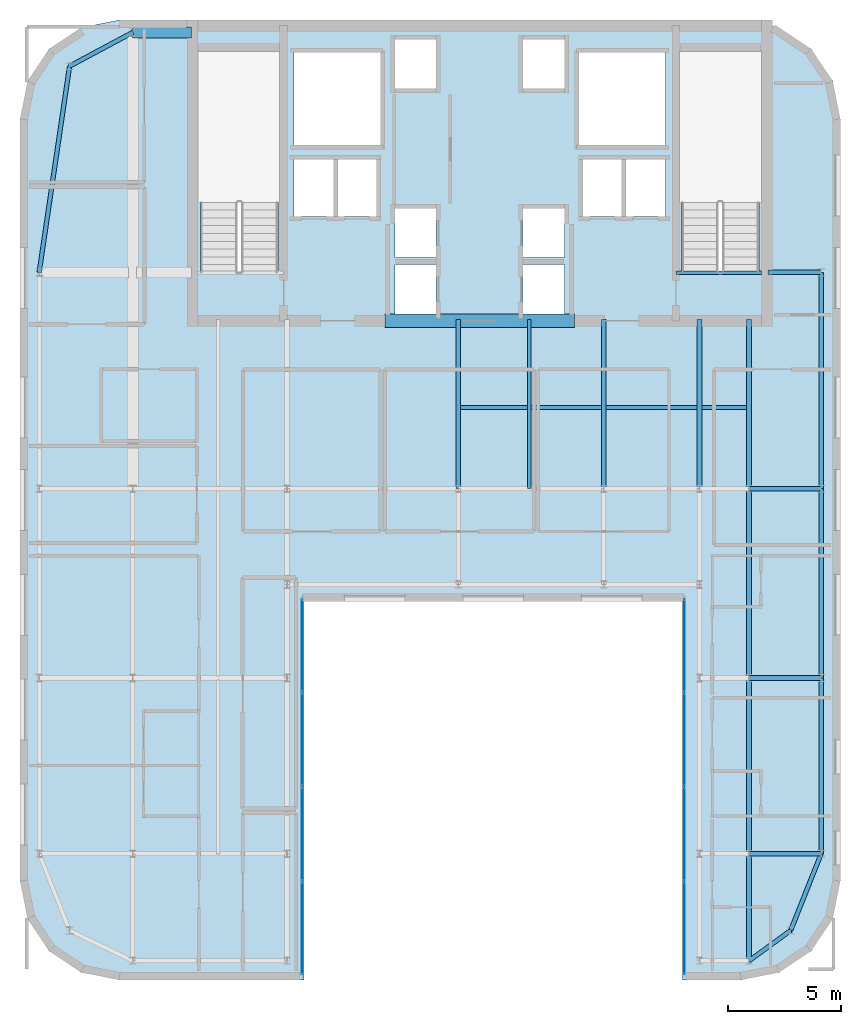
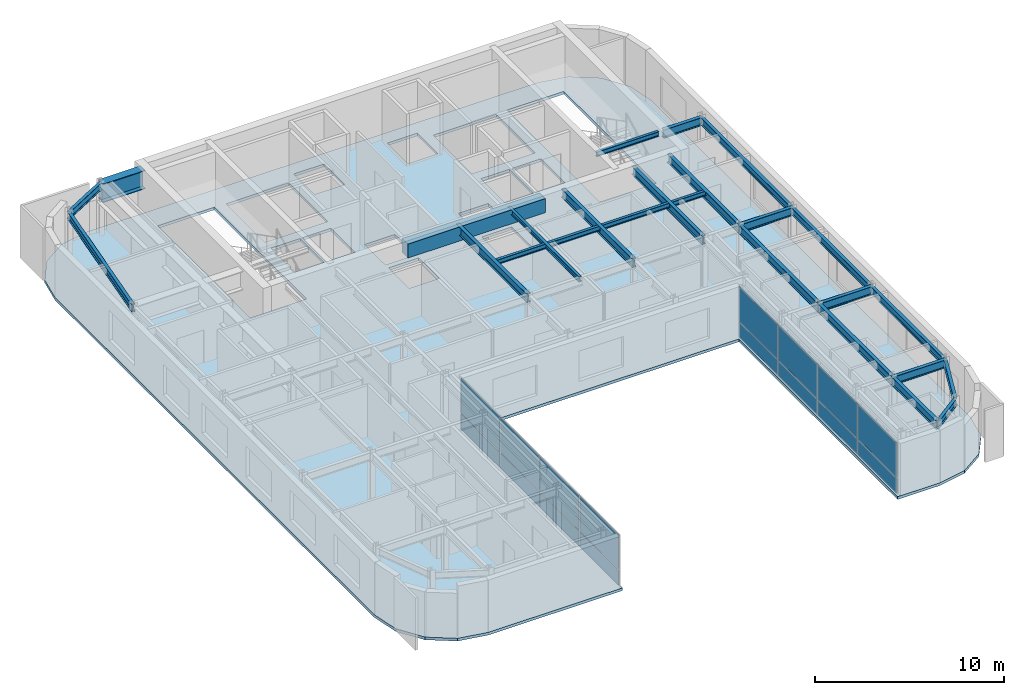
# One storey, part 12 of 18: 23 beams, 16 plates, 1 slab, 2 elements without a shape of their own.
"""IFC4 building model written with IfcOpenShell, lengths in metres."""

import ifcopenshell
import ifcopenshell.guid

model = None  # the IFC model being written
_history = None  # IfcOwnerHistory: only IFC2X3 demands one
_inside = {}  # id of a spatial element -> (the spatial element, [elements in it])
_under = {}  # id of a project, library or spatial element -> (it, [spatial elements below it])
_declared = {}  # id of a project -> (the project, [libraries it declares])
_typed = {}  # id of a type object -> (the type object, [elements of that type])
_made_of = {}  # id of a material, layer set ... -> (it, [elements and type objects made of it])


def new_model(schema):
    """Start an empty IFC model of exactly this schema.

    Asked for "IFC4X3", IfcOpenShell would pick the latest addendum, in which some entities
    have other attributes; the version numbers below select the first issue.
    IFC2X3 requires an IfcOwnerHistory on every rooted entity: one is made here for all.
    """
    global model, _history
    if schema == "IFC4X3":
        model = ifcopenshell.file(schema_version=(4, 3, 0, 0))
    else:
        model = ifcopenshell.file(schema=schema)
    _inside.clear()
    _under.clear()
    _declared.clear()
    _typed.clear()
    _made_of.clear()
    _history = None
    if model.schema == "IFC2X3":
        org = make("IfcOrganization", Name="unknown")
        user = make(
            "IfcPersonAndOrganization",
            ThePerson=make("IfcPerson", FamilyName="unknown"),
            TheOrganization=org,
        )
        app = make(
            "IfcApplication",
            ApplicationDeveloper=org,
            Version="unknown",
            ApplicationFullName="unknown",
            ApplicationIdentifier="unknown",
        )
        _history = make(
            "IfcOwnerHistory",
            OwningUser=user,
            OwningApplication=app,
            ChangeAction="ADDED",
            CreationDate=0,
        )
    return model


def make(cls, **values):
    """One entity of the class cls with the attributes given. An attribute that is None is left unset."""
    return model.create_entity(
        cls, **{name: value for name, value in values.items() if value is not None}
    )


def rooted(cls, **values):
    """An entity with a GlobalId (a new one), such as an element, a storey or a relation."""
    return make(cls, GlobalId=ifcopenshell.guid.new(), OwnerHistory=_history, **values)


def si_unit(unit_type, name, prefix=None):
    """IfcSIUnit, for example si_unit("LENGTHUNIT", "METRE", prefix="MILLI")."""
    return make("IfcSIUnit", UnitType=unit_type, Prefix=prefix, Name=name)


def assignment(units):
    """IfcUnitAssignment: the units of a project."""
    return None if units is None else make("IfcUnitAssignment", Units=units)


def point(xyz):
    """IfcCartesianPoint."""
    return None if xyz is None else make("IfcCartesianPoint", Coordinates=xyz)


def direction(xyz):
    """IfcDirection."""
    return None if xyz is None else make("IfcDirection", DirectionRatios=xyz)


def frame(location, z_axis=None, x_axis=None):
    """IfcAxis2Placement3D, a coordinate frame: its origin and axes. An axis left out is left unset."""
    return make(
        "IfcAxis2Placement3D",
        Location=point(location),
        Axis=direction(z_axis),
        RefDirection=direction(x_axis),
    )


def frame_2d(location, x_axis=None):
    """IfcAxis2Placement2D, a coordinate frame in the plane: its origin and x axis."""
    return make(
        "IfcAxis2Placement2D", Location=point(location), RefDirection=direction(x_axis)
    )


def origin():
    """The frame at (0, 0, 0) with its axes left unset."""
    return frame((0.0, 0.0, 0.0))


def origin_2d():
    """The frame at (0, 0) in the plane with its x axis left unset."""
    return frame_2d((0.0, 0.0))


def place(relative_to, where):
    """IfcLocalPlacement: puts the frame where relative to a parent placement (None: the world)."""
    return make(
        "IfcLocalPlacement", PlacementRelTo=relative_to, RelativePlacement=where
    )


def context(
    kind, dimensions, precision=None, world=None, true_north=None, identifier=None
):
    """IfcGeometricRepresentationContext, for example the 3D "Model" context."""
    return make(
        "IfcGeometricRepresentationContext",
        ContextIdentifier=identifier,
        ContextType=kind,
        CoordinateSpaceDimension=dimensions,
        Precision=precision,
        WorldCoordinateSystem=world,
        TrueNorth=true_north,
    )


def subcontext(parent, identifier, kind, view, scale=None):
    """IfcGeometricRepresentationSubContext, for example "Body" below "Model"."""
    return make(
        "IfcGeometricRepresentationSubContext",
        ContextIdentifier=identifier,
        ContextType=kind,
        ParentContext=parent,
        TargetScale=scale,
        TargetView=view,
    )


def project(units=None, contexts=None):
    """IfcProject with its units and contexts."""
    return rooted(
        "IfcProject",
        Name="project",
        RepresentationContexts=contexts,
        UnitsInContext=assignment(units),
    )


def spatial(cls, under=None, at=None, **own):
    """A site, building, storey or space (cls), placed at a placement, below another one or the project."""
    s = rooted(cls, ObjectPlacement=at, **own)
    if under is not None:
        _under.setdefault(under.id(), (under, []))[1].append(s)
    return s


def polyline(points):
    """IfcPolyline through the points."""
    return make("IfcPolyline", Points=[point(p) for p in points])


def profile(cls, at=None, kind="AREA", **sizes):
    """A parametric profile (cls). Its sizes go by their IFC names, for example OverallWidth=200.0."""
    return make(cls, ProfileType=kind, Position=at, **sizes)


def rectangle(**sizes):
    """IfcRectangleProfileDef."""
    return profile("IfcRectangleProfileDef", **sizes)


def i_section(**sizes):
    """IfcIShapeProfileDef."""
    return profile("IfcIShapeProfileDef", **sizes)


def outline(outer, holes=None, kind="AREA"):
    """IfcArbitraryClosedProfileDef: a profile drawn as a closed curve; with holes, ...WithVoids."""
    if holes is None:
        return make("IfcArbitraryClosedProfileDef", ProfileType=kind, OuterCurve=outer)
    return make(
        "IfcArbitraryProfileDefWithVoids",
        ProfileType=kind,
        OuterCurve=outer,
        InnerCurves=holes,
    )


def extrude(swept, where, along, depth):
    """IfcExtrudedAreaSolid: the profile swept, set in the frame where, extruded along a direction by depth."""
    return make(
        "IfcExtrudedAreaSolid",
        SweptArea=swept,
        Position=where,
        ExtrudedDirection=direction(along),
        Depth=depth,
    )


def shape(context_of_items, identifier, shape_type, items):
    """IfcShapeRepresentation: the items that make up one representation, for example the "Body"."""
    return make(
        "IfcShapeRepresentation",
        ContextOfItems=context_of_items,
        RepresentationIdentifier=identifier,
        RepresentationType=shape_type,
        Items=items,
    )


def source(mapping_origin, context_of_items, identifier, shape_type, items):
    """IfcRepresentationMap: a shape defined once, which mapped items show again and again."""
    return make(
        "IfcRepresentationMap",
        MappingOrigin=mapping_origin,
        MappedRepresentation=shape(context_of_items, identifier, shape_type, items),
    )


def transform(
    local_origin,
    x_axis=None,
    y_axis=None,
    z_axis=None,
    scale=None,
    scale2=None,
    scale3=None,
    uniform=True,
):
    """IfcCartesianTransformationOperator3D, or its non-uniform kind. x_axis, y_axis, z_axis: its Axis1, 2, 3."""
    if uniform:
        return make(
            "IfcCartesianTransformationOperator3D",
            Axis1=direction(x_axis),
            Axis2=direction(y_axis),
            LocalOrigin=point(local_origin),
            Scale=scale,
            Axis3=direction(z_axis),
        )
    return make(
        "IfcCartesianTransformationOperator3DnonUniform",
        Axis1=direction(x_axis),
        Axis2=direction(y_axis),
        LocalOrigin=point(local_origin),
        Scale=scale,
        Axis3=direction(z_axis),
        Scale2=scale2,
        Scale3=scale3,
    )


def mapped(mapping_source, mapping_target):
    """IfcMappedItem: shows the shape of a source again, moved by a transform."""
    return make(
        "IfcMappedItem", MappingSource=mapping_source, MappingTarget=mapping_target
    )


def material(Name=None, Category=None):
    """IfcMaterial."""
    return make("IfcMaterial", Name=Name, Category=Category)


def layer(
    of_material, thickness, ventilated=None, Name=None, Category=None, Priority=None
):
    """IfcMaterialLayer: one layer of a wall or slab, of a material (None: an air gap)."""
    return make(
        "IfcMaterialLayer",
        Material=of_material,
        LayerThickness=thickness,
        IsVentilated=ventilated,
        Name=Name,
        Category=Category,
        Priority=Priority,
    )


def layer_set(layers, Name=None):
    """IfcMaterialLayerSet."""
    return make("IfcMaterialLayerSet", MaterialLayers=layers, LayerSetName=Name)


def material_profile(
    of_material, cross_section, Name=None, Category=None, Priority=None
):
    """IfcMaterialProfile: a cross section and its material."""
    return make(
        "IfcMaterialProfile",
        Name=Name,
        Material=of_material,
        Profile=cross_section,
        Priority=Priority,
        Category=Category,
    )


def profile_set(profiles, Name=None, composite=None):
    """IfcMaterialProfileSet."""
    return make(
        "IfcMaterialProfileSet",
        Name=Name,
        MaterialProfiles=profiles,
        CompositeProfile=composite,
    )


def made_of(thing, what):
    """Note that an element or type object is made of a material, layer set ...; save() writes the relation."""
    if what is not None:
        _made_of.setdefault(what.id(), (what, []))[1].append(thing)
    return thing


def type_object(cls, material=None, **own):
    """A type object (cls), such as IfcWallType, which elements share."""
    return made_of(rooted(cls, **own), material)


def type_shapes(of_type, sources):
    """Give a type object the sources (RepresentationMaps) that its elements show as mapped items."""
    of_type.RepresentationMaps = sources


def element(
    cls,
    number,
    at=None,
    inside=None,
    cuts=None,
    type_object=None,
    material=None,
    context=None,
    identifier="Body",
    shape_type=None,
    held_by="IfcProductDefinitionShape",
    body=None,
    shapes=None,
    **own,
):
    """One element of the class cls, such as IfcWall. Its Tag is "e" and its number.

    at: its placement. inside: the storey or other place that contains it. cuts: it is an
    opening in that element (IfcRelVoidsElement). A single representation is given by context,
    identifier, shape_type and body (its items); several are given by shapes. held_by: the class
    of the entity that holds the representations. save() writes the other relations.
    """
    e = rooted(cls, Tag="e%d" % number, ObjectPlacement=at, **own)
    if body is not None:
        shapes = [shape(context, identifier, shape_type, body)]
    if shapes is not None:
        e.Representation = make(held_by, Representations=shapes)
    if inside is not None:
        _inside.setdefault(inside.id(), (inside, []))[1].append(e)
    if cuts is not None:
        rooted(
            "IfcRelVoidsElement", RelatingBuildingElement=cuts, RelatedOpeningElement=e
        )
    if type_object is not None:
        _typed.setdefault(type_object.id(), (type_object, []))[1].append(e)
    return made_of(e, material)


def aggregate(whole, parts):
    """IfcRelAggregates: a whole, such as a stair, and the parts it consists of."""
    return rooted("IfcRelAggregates", RelatingObject=whole, RelatedObjects=parts)


def save(model, path):
    """Write the relations noted so far, then the file.

    IfcRelAggregates (storeys below a building ...), IfcRelContainedInSpatialStructure (elements
    in a storey), IfcRelDefinesByType, IfcRelAssociatesMaterial and IfcRelDeclares: one each for
    every whole, place, type object, material and project.
    """
    for whole, parts in _under.values():
        aggregate(whole, parts)
    for where, things in _inside.values():
        rooted(
            "IfcRelContainedInSpatialStructure",
            RelatedElements=things,
            RelatingStructure=where,
        )
    for kind, things in _typed.values():
        rooted("IfcRelDefinesByType", RelatedObjects=things, RelatingType=kind)
    for what, things in _made_of.values():
        rooted("IfcRelAssociatesMaterial", RelatedObjects=things, RelatingMaterial=what)
    for by, libraries in _declared.values():
        rooted("IfcRelDeclares", RelatingContext=by, RelatedDefinitions=libraries)
    model.write(path)


model = new_model("IFC4")

# Units and contexts
model_context = context("Model", 3, precision=1e-05, world=origin(), true_north=direction((0.0, 1.0)))
body_context = subcontext(model_context, "Body", "Model", "MODEL_VIEW")
ifc_project = project(units=[si_unit("LENGTHUNIT", "METRE"), si_unit("AREAUNIT", "SQUARE_METRE"), si_unit("VOLUMEUNIT", "CUBIC_METRE"), si_unit("PLANEANGLEUNIT", "RADIAN"), si_unit("MASSUNIT", "GRAM", prefix="KILO")], contexts=[model_context])

# Site, building, storey
site_placement = place(None, origin())
site = spatial("IfcSite", under=ifc_project, at=site_placement, CompositionType="ELEMENT")
building_placement = place(site_placement, origin())
building = spatial("IfcBuilding", under=site, at=building_placement, Name="Tolvann Quenvar Hotel", CompositionType="ELEMENT")
storey_placement = place(building_placement, frame((0.0, 0.0, 252.300048828125)))
storey = spatial("IfcBuildingStorey", under=building, at=storey_placement, Name="L67", CompositionType="ELEMENT", Elevation=252.300048828125)

# Beams
ifc_material_1 = material(Name="Concrete N50 (50 MPa)", Category="concrete")
ifc_material_profile_1 = material_profile(ifc_material_1, rectangle(XDim=0.60009765625, YDim=0.89990234375, at=origin_2d()), Name="RC600x900")
ifc_profile_set_1 = profile_set([ifc_material_profile_1], Name="Concrete N50 (50 MPa)")
beam_type_1 = type_object("IfcBeamType", Name="BM_LINT_RC600x900", PredefinedType="LINTEL", material=ifc_profile_set_1)
shared_shape_1 = source(origin(), body_context, "Body", "SweptSolid", [
    extrude(rectangle(XDim=0.60009765625, YDim=0.89990234375, at=origin_2d()), origin(), (0.0, 0.0, 1.0), 8.39990234375),
])
type_shapes(beam_type_1, [shared_shape_1])
beam_1_placement = place(storey_placement, frame((18.800048828125, 31.85009765625, 2.919921875), z_axis=(1.0, 0.0, 0.0), x_axis=(0.0, 1.0, 0.0)))
element("IfcBeam", 1, at=beam_1_placement, inside=storey, type_object=beam_type_1, Name="Core Coupling Lintel Beam (L67)", PredefinedType="LINTEL", context=body_context, shape_type="MappedRepresentation", body=[
    mapped(shared_shape_1, transform((0.0, 0.0, 0.0), x_axis=(1.0, 0.0, 0.0), y_axis=(0.0, 1.0, 0.0), z_axis=(0.0, 0.0, 1.0), scale=1.0)),
])
ifc_material_2 = material(Name="Steel Grade 350", Category="steel")
ifc_material_profile_2 = material_profile(ifc_material_2, i_section(OverallWidth=0.208984375, OverallDepth=0.532958984375, WebThickness=0.01025390625, FlangeThickness=0.015625, FilletRadius=0.013916015625, at=origin_2d()), Name="530UB92")
ifc_profile_set_2 = profile_set([ifc_material_profile_2], Name="Steel Grade 350")
beam_type_2 = type_object("IfcBeamType", Name="BM_GIRD_530UB92", PredefinedType="BEAM", material=ifc_profile_set_2)
shared_shape_2 = source(origin(), body_context, "Body", "SweptSolid", [
    extrude(i_section(OverallWidth=0.208984375, OverallDepth=0.532958984375, WebThickness=0.01025390625, FlangeThickness=0.015625, FilletRadius=0.013916015625, at=origin_2d()), origin(), (0.0, 0.0, 1.0), 7.800048828125),
])
beam_2_placement = place(storey_placement, frame((34.949951171875, 8.199951171875, 3.103515625), z_axis=(0.0, 1.0, 0.0), x_axis=(-1.0, 0.0, 0.0)))
element("IfcBeam", 2, at=beam_2_placement, inside=storey, type_object=beam_type_2, Name="BM-L67-NS-F3-F4", PredefinedType="BEAM", context=body_context, shape_type="MappedRepresentation", body=[
    mapped(shared_shape_2, transform((0.0, 0.0, 0.0), x_axis=(1.0, 0.0, 0.0), y_axis=(0.0, 1.0, 0.0), z_axis=(0.0, 0.0, 1.0), scale=1.0)),
])
shared_shape_3 = source(origin(), body_context, "Body", "SweptSolid", [
    extrude(i_section(OverallWidth=0.208984375, OverallDepth=0.532958984375, WebThickness=0.01025390625, FlangeThickness=0.015625, FilletRadius=0.013916015625, at=origin_2d()), origin(), (0.0, 0.0, 1.0), 8.39990234375),
])
beam_3_placement = place(storey_placement, frame((34.949951171875, 16.0, 3.103515625), z_axis=(0.0, 1.0, 0.0), x_axis=(-1.0, 0.0, 0.0)))
element("IfcBeam", 3, at=beam_3_placement, inside=storey, type_object=beam_type_2, Name="BM-L67-NS-F4-F5", PredefinedType="BEAM", context=body_context, shape_type="MappedRepresentation", body=[
    mapped(shared_shape_3, transform((0.0, 0.0, 0.0), x_axis=(1.0, 0.0, 0.0), y_axis=(0.0, 1.0, 0.0), z_axis=(0.0, 0.0, 1.0), scale=1.0)),
])
ifc_material_profile_3 = material_profile(ifc_material_2, i_section(OverallWidth=0.5, OverallDepth=1.199951171875, WebThickness=0.01611328125, FlangeThickness=0.0400390625, at=origin_2d()), Name="1200WB455")
ifc_profile_set_3 = profile_set([ifc_material_profile_3], Name="Steel Grade 350")
beam_type_3 = type_object("IfcBeamType", Name="BM_TG_1200WB455", PredefinedType="USERDEFINED", material=ifc_profile_set_3)
shared_shape_4 = source(origin(), body_context, "Body", "SweptSolid", [
    extrude(i_section(OverallWidth=0.5, OverallDepth=1.199951171875, WebThickness=0.01611328125, FlangeThickness=0.0400390625, at=origin_2d()), origin(), (0.0, 0.0, 1.0), 2.599853515625),
])
type_shapes(beam_type_3, [shared_shape_4])
beam_4_placement = place(storey_placement, frame((7.60009765625, 44.64990234375, 2.77001953125), z_axis=(1.0, 0.0, 0.0), x_axis=(0.0, 1.0, 0.0)))
element("IfcBeam", 4, at=beam_4_placement, inside=storey, type_object=beam_type_3, Name="BM-L67-CTW-CN", ObjectType="TRANSFER GIRDER", PredefinedType="USERDEFINED", context=body_context, shape_type="MappedRepresentation", body=[
    mapped(shared_shape_4, transform((0.0, 0.0, 0.0), x_axis=(1.0, 0.0, 0.0), y_axis=(0.0, 1.0, 0.0), z_axis=(0.0, 0.0, 1.0), scale=1.0)),
])
ifc_material_profile_4 = material_profile(ifc_material_2, i_section(OverallWidth=0.166015625, OverallDepth=0.306884765625, WebThickness=0.006591796875, FlangeThickness=0.01171875, FilletRadius=0.011474609375, at=origin_2d()), Name="310UB46")
ifc_profile_set_4 = profile_set([ifc_material_profile_4], Name="Steel Grade 350")
beam_type_4 = type_object("IfcBeamType", Name="BM_JOIST_310UB46", PredefinedType="JOIST", material=ifc_profile_set_4)
shared_shape_5 = source(origin(), body_context, "Body", "SweptSolid", [
    extrude(i_section(OverallWidth=0.166015625, OverallDepth=0.306884765625, WebThickness=0.006591796875, FlangeThickness=0.01171875, FilletRadius=0.011474609375, at=origin_2d()), origin(), (0.0, 0.0, 1.0), 3.800048828125),
])
beam_5_placement = place(storey_placement, frame((31.699951171875, 33.97998046875, 3.216552734375), z_axis=(1.0, 0.0, 0.0), x_axis=(0.0, 1.0, 0.0)))
element("IfcBeam", 5, at=beam_5_placement, inside=storey, type_object=beam_type_4, Name="BM-HDR-STC2-L68", PredefinedType="JOIST", context=body_context, shape_type="MappedRepresentation", body=[
    mapped(shared_shape_5, transform((0.0, 0.0, 0.0), x_axis=(1.0, 0.0, 0.0), y_axis=(0.0, 1.0, 0.0), z_axis=(0.0, 0.0, 1.0), scale=1.0)),
])
shared_shape_6 = source(origin(), body_context, "Body", "SweptSolid", [
    extrude(i_section(OverallWidth=0.208984375, OverallDepth=0.532958984375, WebThickness=0.01025390625, FlangeThickness=0.015625, FilletRadius=0.013916015625, at=origin_2d()), origin(), (0.0, 0.0, 1.0), 4.75),
])
beam_6_placement = place(storey_placement, frame((34.949951171875, 3.449951171875, 3.103515625), z_axis=(0.0, 1.0, 0.0), x_axis=(-1.0, 0.0, 0.0)))
element("IfcBeam", 6, at=beam_6_placement, inside=storey, type_object=beam_type_2, Name="BM-L67-NS-F2-F3", PredefinedType="BEAM", context=body_context, shape_type="MappedRepresentation", body=[
    mapped(shared_shape_6, transform((0.0, 0.0, 0.0), x_axis=(1.0, 0.0, 0.0), y_axis=(0.0, 1.0, 0.0), z_axis=(0.0, 0.0, 1.0), scale=1.0)),
])
ifc_material_profile_5 = material_profile(ifc_material_2, i_section(OverallWidth=0.19091796875, OverallDepth=0.4599609375, WebThickness=0.010009765625, FlangeThickness=0.01611328125, FilletRadius=0.011474609375, at=origin_2d()), Name="460UB82")
ifc_profile_set_5 = profile_set([ifc_material_profile_5], Name="Steel Grade 350")
beam_type_5 = type_object("IfcBeamType", Name="BM_SPAND_460UB82", PredefinedType="SPANDREL", material=ifc_profile_set_5)
shared_shape_7 = source(origin(), body_context, "Body", "SweptSolid", [
    extrude(i_section(OverallWidth=0.19091796875, OverallDepth=0.4599609375, WebThickness=0.010009765625, FlangeThickness=0.01611328125, FilletRadius=0.011474609375, at=origin_2d()), origin(), (0.0, 0.0, 1.0), 7.800048828125),
])
beam_7_placement = place(storey_placement, frame((38.14990234375, 8.199951171875, 3.139892578125), z_axis=(0.0, 1.0, 0.0), x_axis=(-1.0, 0.0, 0.0)))
element("IfcBeam", 7, at=beam_7_placement, inside=storey, type_object=beam_type_5, Name="BM-L67-NS-G3-G4", PredefinedType="SPANDREL", context=body_context, shape_type="MappedRepresentation", body=[
    mapped(shared_shape_7, transform((0.0, 0.0, 0.0), x_axis=(1.0, 0.0, 0.0), y_axis=(0.0, 1.0, 0.0), z_axis=(0.0, 0.0, 1.0), scale=1.0)),
])
shared_shape_8 = source(origin(), body_context, "Body", "SweptSolid", [
    extrude(i_section(OverallWidth=0.19091796875, OverallDepth=0.4599609375, WebThickness=0.010009765625, FlangeThickness=0.01611328125, FilletRadius=0.011474609375, at=origin_2d()), origin(), (0.0, 0.0, 1.0), 8.39990234375),
])
beam_8_placement = place(storey_placement, frame((38.14990234375, 16.0, 3.139892578125), z_axis=(0.0, 1.0, 0.0), x_axis=(-1.0, 0.0, 0.0)))
element("IfcBeam", 8, at=beam_8_placement, inside=storey, type_object=beam_type_5, Name="BM-L67-NS-G4-G5", PredefinedType="SPANDREL", context=body_context, shape_type="MappedRepresentation", body=[
    mapped(shared_shape_8, transform((0.0, 0.0, 0.0), x_axis=(1.0, 0.0, 0.0), y_axis=(0.0, 1.0, 0.0), z_axis=(0.0, 0.0, 1.0), scale=1.0)),
])
shared_shape_9 = source(origin(), body_context, "Body", "SweptSolid", [
    extrude(i_section(OverallWidth=0.19091796875, OverallDepth=0.4599609375, WebThickness=0.010009765625, FlangeThickness=0.01611328125, FilletRadius=0.011474609375, at=origin_2d()), origin(), (0.0, 0.0, 1.0), 3.657958984375),
])
beam_9_placement = place(storey_placement, frame((36.800048828125, 4.800048828125, 3.139892578125), z_axis=(0.369007513371, 0.929426411867, 0.0), x_axis=(-0.929426411867, 0.369007513371, 0.0)))
element("IfcBeam", 9, at=beam_9_placement, inside=storey, type_object=beam_type_5, Name="BM-L67-NS-G2-G3", PredefinedType="SPANDREL", context=body_context, shape_type="MappedRepresentation", body=[
    mapped(shared_shape_9, transform((0.0, 0.0, 0.0), x_axis=(1.0, 0.0, 0.0), y_axis=(0.0, 1.0, 0.0), z_axis=(0.0, 0.0, 1.0), scale=1.0)),
])
shared_shape_10 = source(origin(), body_context, "Body", "SweptSolid", [
    extrude(i_section(OverallWidth=0.19091796875, OverallDepth=0.4599609375, WebThickness=0.010009765625, FlangeThickness=0.01611328125, FilletRadius=0.011474609375, at=origin_2d()), origin(), (0.0, 0.0, 1.0), 9.60009765625),
])
beam_10_placement = place(storey_placement, frame((38.14990234375, 24.39990234375, 3.139892578125), z_axis=(0.0, 1.0, 0.0), x_axis=(-1.0, 0.0, 0.0)))
element("IfcBeam", 10, at=beam_10_placement, inside=storey, type_object=beam_type_5, Name="BM-L67-FLK-G1", PredefinedType="SPANDREL", context=body_context, shape_type="MappedRepresentation", body=[
    mapped(shared_shape_10, transform((0.0, 0.0, 0.0), x_axis=(1.0, 0.0, 0.0), y_axis=(0.0, 1.0, 0.0), z_axis=(0.0, 0.0, 1.0), scale=1.0)),
])
shared_shape_11 = source(origin(), body_context, "Body", "SweptSolid", [
    extrude(i_section(OverallWidth=0.19091796875, OverallDepth=0.4599609375, WebThickness=0.010009765625, FlangeThickness=0.01611328125, FilletRadius=0.011474609375, at=origin_2d()), origin(), (0.0, 0.0, 1.0), 9.2490234375),
])
beam_11_placement = place(storey_placement, frame((3.449951171875, 34.0, 3.139892578125), z_axis=(0.145972731602, 0.989288613918, 0.0), x_axis=(-0.989288613918, 0.145972731602, 0.0)))
element("IfcBeam", 11, at=beam_11_placement, inside=storey, type_object=beam_type_5, Name="BM-L67-FLK-W2", PredefinedType="SPANDREL", context=body_context, shape_type="MappedRepresentation", body=[
    mapped(shared_shape_11, transform((0.0, 0.0, 0.0), x_axis=(1.0, 0.0, 0.0), y_axis=(0.0, 1.0, 0.0), z_axis=(0.0, 0.0, 1.0), scale=1.0)),
])
shared_shape_12 = source(origin(), body_context, "Body", "SweptSolid", [
    extrude(i_section(OverallWidth=0.19091796875, OverallDepth=0.4599609375, WebThickness=0.010009765625, FlangeThickness=0.01611328125, FilletRadius=0.011474609375, at=origin_2d()), origin(), (0.0, 0.0, 1.0), 3.176513671875),
])
beam_12_placement = place(storey_placement, frame((4.800048828125, 43.14990234375, 3.139892578125), z_axis=(0.881483397762, 0.472215014025, 0.0), x_axis=(-0.472215014025, 0.881483397762, 0.0)))
element("IfcBeam", 12, at=beam_12_placement, inside=storey, type_object=beam_type_5, Name="BM-L67-FLK-W3", PredefinedType="SPANDREL", context=body_context, shape_type="MappedRepresentation", body=[
    mapped(shared_shape_12, transform((0.0, 0.0, 0.0), x_axis=(1.0, 0.0, 0.0), y_axis=(0.0, 1.0, 0.0), z_axis=(0.0, 0.0, 1.0), scale=1.0)),
])
shared_shape_13 = source(origin(), body_context, "Body", "SweptSolid", [
    extrude(i_section(OverallWidth=0.166015625, OverallDepth=0.306884765625, WebThickness=0.006591796875, FlangeThickness=0.01171875, FilletRadius=0.011474609375, at=origin_2d()), origin(), (0.0, 0.0, 1.0), 12.89990234375),
])
beam_13_placement = place(storey_placement, frame((22.050048828125, 28.0, 3.216552734375), z_axis=(1.0, 0.0, 0.0), x_axis=(0.0, 1.0, 0.0)))
element("IfcBeam", 13, at=beam_13_placement, inside=storey, type_object=beam_type_4, Name="BM-L67-SPINE-28", PredefinedType="JOIST", context=body_context, shape_type="MappedRepresentation", body=[
    mapped(shared_shape_13, transform((0.0, 0.0, 0.0), x_axis=(1.0, 0.0, 0.0), y_axis=(0.0, 1.0, 0.0), z_axis=(0.0, 0.0, 1.0), scale=1.0)),
])
shared_shape_14 = source(origin(), body_context, "Body", "SweptSolid", [
    extrude(i_section(OverallWidth=0.166015625, OverallDepth=0.306884765625, WebThickness=0.006591796875, FlangeThickness=0.01171875, FilletRadius=0.011474609375, at=origin_2d()), origin(), (0.0, 0.0, 1.0), 7.5),
])
type_shapes(beam_type_4, [shared_shape_5, shared_shape_13, shared_shape_14])
beam_14_placement = place(storey_placement, frame((25.199951171875, 24.39990234375, 3.216552734375), z_axis=(0.0, 1.0, 0.0), x_axis=(-1.0, 0.0, 0.0)))
element("IfcBeam", 14, at=beam_14_placement, inside=storey, type_object=beam_type_4, Name="BJ-L67-252-244", PredefinedType="JOIST", context=body_context, shape_type="MappedRepresentation", body=[
    mapped(shared_shape_14, transform((0.0, 0.0, 0.0), x_axis=(1.0, 0.0, 0.0), y_axis=(0.0, 1.0, 0.0), z_axis=(0.0, 0.0, 1.0), scale=1.0)),
])
shared_shape_15 = source(origin(), body_context, "Body", "SweptSolid", [
    extrude(i_section(OverallWidth=0.19091796875, OverallDepth=0.4599609375, WebThickness=0.010009765625, FlangeThickness=0.01611328125, FilletRadius=0.011474609375, at=origin_2d()), origin(), (0.0, 0.0, 1.0), 2.290283203125),
])
type_shapes(beam_type_5, [shared_shape_7, shared_shape_8, shared_shape_9, shared_shape_10, shared_shape_11, shared_shape_12, shared_shape_15])
beam_15_placement = place(storey_placement, frame((34.949951171875, 3.449951171875, 3.139892578125), z_axis=(0.807785460512, 0.589476589684, 0.0), x_axis=(-0.589476589684, 0.807785460512, 0.0)))
element("IfcBeam", 15, at=beam_15_placement, inside=storey, type_object=beam_type_5, Name="BM-L67-EW-2-F2-G2", PredefinedType="SPANDREL", context=body_context, shape_type="MappedRepresentation", body=[
    mapped(shared_shape_15, transform((0.0, 0.0, 0.0), x_axis=(1.0, 0.0, 0.0), y_axis=(0.0, 1.0, 0.0), z_axis=(0.0, 0.0, 1.0), scale=1.0)),
])
shared_shape_16 = source(origin(), body_context, "Body", "SweptSolid", [
    extrude(i_section(OverallWidth=0.208984375, OverallDepth=0.532958984375, WebThickness=0.01025390625, FlangeThickness=0.015625, FilletRadius=0.013916015625, at=origin_2d()), origin(), (0.0, 0.0, 1.0), 3.199951171875),
])
for number, where, z_axis, x_axis, name in (
    (16, (34.949951171875, 8.199951171875, 3.103515625), (1.0, 0.0, 0.0), (0.0, 1.0, 0.0), "BM-L67-EW-3-F3-G3"),
    (17, (34.949951171875, 16.0, 3.103515625), (1.0, 0.0, 0.0), (0.0, 1.0, 0.0), "BM-L67-EW-4-F4-G4"),
    (18, (34.949951171875, 24.39990234375, 3.103515625), (1.0, 0.0, 0.0), (0.0, 1.0, 0.0), "BM-L67-EW-5-F5-G5"),
):
    element("IfcBeam", number, at=place(storey_placement, frame(where, z_axis=z_axis, x_axis=x_axis)), inside=storey, type_object=beam_type_2, Name=name, PredefinedType="BEAM", context=body_context, shape_type="MappedRepresentation", body=[
        mapped(shared_shape_16, transform((0.0, 0.0, 0.0), x_axis=(1.0, 0.0, 0.0), y_axis=(0.0, 1.0, 0.0), z_axis=(0.0, 0.0, 1.0), scale=1.0)),
    ])
shared_shape_17 = source(origin(), body_context, "Body", "SweptSolid", [
    extrude(i_section(OverallWidth=0.208984375, OverallDepth=0.532958984375, WebThickness=0.01025390625, FlangeThickness=0.015625, FilletRadius=0.013916015625, at=origin_2d()), origin(), (0.0, 0.0, 1.0), 7.5),
])
for number, where, z_axis, x_axis, name in (
    (19, (22.050048828125, 24.39990234375, 3.103515625), (0.0, 1.0, 0.0), (-1.0, 0.0, 0.0), "BM-L67-CORE-E5"),
    (20, (34.949951171875, 24.39990234375, 3.103515625), (0.0, 1.0, 0.0), (-1.0, 0.0, 0.0), "BM-L67-CORE-F5"),
    (21, (32.75, 24.39990234375, 3.103515625), (0.0, 1.0, 0.0), (-1.0, 0.0, 0.0), "BM-L67-CORE-FP5"),
    (22, (28.5, 24.39990234375, 3.103515625), (0.0, 1.0, 0.0), (-1.0, 0.0, 0.0), "BM-L67-CORE-M5"),
):
    element("IfcBeam", number, at=place(storey_placement, frame(where, z_axis=z_axis, x_axis=x_axis)), inside=storey, type_object=beam_type_2, Name=name, PredefinedType="BEAM", context=body_context, shape_type="MappedRepresentation", body=[
        mapped(shared_shape_17, transform((0.0, 0.0, 0.0), x_axis=(1.0, 0.0, 0.0), y_axis=(0.0, 1.0, 0.0), z_axis=(0.0, 0.0, 1.0), scale=1.0)),
    ])
shared_shape_18 = source(origin(), body_context, "Body", "SweptSolid", [
    extrude(i_section(OverallWidth=0.208984375, OverallDepth=0.532958984375, WebThickness=0.01025390625, FlangeThickness=0.015625, FilletRadius=0.013916015625, at=origin_2d()), origin(), (0.0, 0.0, 1.0), 2.349853515625),
])
type_shapes(beam_type_2, [shared_shape_2, shared_shape_3, shared_shape_6, shared_shape_16, shared_shape_17, shared_shape_18])
beam_16_placement = place(storey_placement, frame((35.800048828125, 34.0, 3.103515625), z_axis=(1.0, 0.0, 0.0), x_axis=(0.0, 1.0, 0.0)))
element("IfcBeam", 23, at=beam_16_placement, inside=storey, type_object=beam_type_2, Name="BM-L67-CTE-GD6", PredefinedType="BEAM", context=body_context, shape_type="MappedRepresentation", body=[
    mapped(shared_shape_18, transform((0.0, 0.0, 0.0), x_axis=(1.0, 0.0, 0.0), y_axis=(0.0, 1.0, 0.0), z_axis=(0.0, 0.0, 1.0), scale=1.0)),
])

# Slab
ifc_material_3 = material(Name="Concrete N40 (40 MPa)", Category="concrete")
ifc_layer_1 = layer(ifc_material_3, 0.179931640625)
ifc_layer_set_1 = layer_set([ifc_layer_1], Name="Concrete N40 (40 MPa)")
slab_type = type_object("IfcSlabType", Name="SLAB_TWR_180", PredefinedType="FLOOR", material=ifc_layer_set_1)
slab_placement = place(storey_placement, frame((0.0, 0.0, -0.179931640625)))
element("IfcSlab", 24, at=slab_placement, inside=storey, type_object=slab_type, Name="Level L67 Structural Floor Slab", PredefinedType="FLOOR", context=body_context, shape_type="SweptSolid", body=[
    extrude(outline(polyline([(2.60009765625, 7.0), (2.934814453125, 5.316162109375), (3.888671875, 3.888671875), (5.316162109375, 2.934814453125), (7.0, 2.60009765625), (15.199951171875, 2.60009765625), (15.199951171875, 19.39990234375), (32.0, 19.39990234375), (32.0, 2.60009765625), (34.60009765625, 2.60009765625), (36.28369140625, 2.934814453125), (37.711181640625, 3.888671875), (38.6650390625, 5.316162109375), (39.0, 7.0), (39.0, 40.800048828125), (38.6650390625, 42.48388671875), (37.711181640625, 43.911376953125), (36.28369140625, 44.864990234375), (34.60009765625, 45.199951171875), (7.0, 45.199951171875), (5.316162109375, 44.864990234375), (3.888671875, 43.911376953125), (2.934814453125, 42.48388671875), (2.60009765625, 40.800048828125), (2.60009765625, 7.0)]), holes=[polyline([(31.949951171875, 34.02490234375), (31.949951171875, 43.800048828125), (35.39990234375, 43.800048828125), (35.39990234375, 34.02490234375), (31.949951171875, 34.02490234375)]), polyline([(27.39990234375, 43.75), (31.25, 43.75), (31.25, 39.64990234375), (27.39990234375, 39.64990234375), (27.39990234375, 43.75)]), polyline([(29.449951171875, 39.02001953125), (31.25, 39.02001953125), (31.25, 36.47998046875), (29.449951171875, 36.47998046875), (29.449951171875, 39.02001953125)]), polyline([(27.574951171875, 39.02001953125), (29.324951171875, 39.02001953125), (29.324951171875, 36.47998046875), (27.574951171875, 36.47998046875), (27.574951171875, 39.02001953125)]), polyline([(24.929931640625, 36.840087890625), (26.77001953125, 36.840087890625), (26.77001953125, 34.659912109375), (24.929931640625, 34.659912109375), (24.929931640625, 36.840087890625)]), polyline([(24.929931640625, 44.340087890625), (26.77001953125, 44.340087890625), (26.77001953125, 42.159912109375), (24.929931640625, 42.159912109375), (24.929931640625, 44.340087890625)]), polyline([(24.929931640625, 32.159912109375), (24.929931640625, 34.340087890625), (26.77001953125, 34.340087890625), (26.77001953125, 32.159912109375), (24.929931640625, 32.159912109375)]), polyline([(19.22998046875, 36.840087890625), (21.070068359375, 36.840087890625), (21.070068359375, 34.659912109375), (19.22998046875, 34.659912109375), (19.22998046875, 36.840087890625)]), polyline([(19.22998046875, 44.340087890625), (21.070068359375, 44.340087890625), (21.070068359375, 42.159912109375), (19.22998046875, 42.159912109375), (19.22998046875, 44.340087890625)]), polyline([(19.22998046875, 32.159912109375), (19.22998046875, 34.340087890625), (21.070068359375, 34.340087890625), (21.070068359375, 32.159912109375), (19.22998046875, 32.159912109375)]), polyline([(14.75, 43.75), (18.60009765625, 43.75), (18.60009765625, 39.64990234375), (14.75, 39.64990234375), (14.75, 43.75)]), polyline([(16.675048828125, 39.02001953125), (18.425048828125, 39.02001953125), (18.425048828125, 36.47998046875), (16.675048828125, 36.47998046875), (16.675048828125, 39.02001953125)]), polyline([(14.75, 39.02001953125), (16.550048828125, 39.02001953125), (16.550048828125, 36.47998046875), (14.75, 36.47998046875), (14.75, 39.02001953125)]), polyline([(10.60009765625, 34.02490234375), (10.60009765625, 43.800048828125), (14.050048828125, 43.800048828125), (14.050048828125, 34.02490234375), (10.60009765625, 34.02490234375)])]), origin(), (0.0, 0.0, 1.0), 0.179931640625),
])

# Curtain wall, plates
ifc_material_4 = material(Name="Thermally broken anodised architectural aluminium 6063-T6 and laminated low-E glass", Category="aluminium")
ifc_layer_2 = layer(ifc_material_4, 0.179931640625)
ifc_layer_set_2 = layer_set([ifc_layer_2], Name="Thermally broken anodised architectural aluminium 6063-T6 and laminated low-E glass")
curtain_wall_type = type_object("IfcCurtainWallType", Name="CW_SYS_PORTAL_05", PredefinedType="USERDEFINED", material=ifc_layer_set_2)
curtain_wall_1_placement = place(storey_placement, origin())
curtain_wall_1 = element("IfcCurtainWall", 25, at=curtain_wall_1_placement, inside=storey, type_object=curtain_wall_type, Name="Curtain Wall CW-PORTAL-05 (CWR-L67-E05)", ObjectType="UNITISED CURTAIN WALL", PredefinedType="USERDEFINED")
ifc_material_5 = material(Name="Low-iron laminated double glazing with solar-control coating", Category="glass")
ifc_layer_3 = layer(ifc_material_5, 0.028076171875)
ifc_layer_set_3 = layer_set([ifc_layer_3], Name="Low-iron laminated double glazing with solar-control coating")
plate_type = type_object("IfcPlateType", Name="CW_PAN_VISION_28", PredefinedType="CURTAIN_PANEL", material=ifc_layer_set_3)
shared_shape_19 = source(origin(), body_context, "Body", "SweptSolid", [
    extrude(rectangle(XDim=4.094970703125, YDim=0.028076171875, at=origin_2d()), origin(), (0.0, 0.0, 1.0), 0.9599609375),
])
plate_1_placement = place(storey_placement, frame((15.110107421875, 4.892578125, 0.06005859375), z_axis=(0.0, 0.0, 1.0), x_axis=(0.0, 1.0, 0.0)))
plate_1 = element("IfcPlate", 26, at=plate_1_placement, type_object=plate_type, Name="CW-PORTAL-05 panel 1.1", PredefinedType="CURTAIN_PANEL", context=body_context, shape_type="MappedRepresentation", body=[
    mapped(shared_shape_19, transform((0.0, 0.0, 0.0), x_axis=(1.0, 0.0, 0.0), y_axis=(0.0, 1.0, 0.0), z_axis=(0.0, 0.0, 1.0), scale=1.0)),
])
plate_2_placement = place(storey_placement, frame((15.110107421875, 17.45751953125, 0.06005859375), z_axis=(0.0, 0.0, 1.0), x_axis=(0.0, 1.0, 0.0)))
plate_2 = element("IfcPlate", 27, at=plate_2_placement, type_object=plate_type, Name="CW-PORTAL-05 panel 4.1", PredefinedType="CURTAIN_PANEL", context=body_context, shape_type="MappedRepresentation", body=[
    mapped(shared_shape_19, transform((0.0, 0.0, 0.0), x_axis=(1.0, 0.0, 0.0), y_axis=(0.0, 1.0, 0.0), z_axis=(0.0, 0.0, 1.0), scale=1.0)),
])

curtain_wall_2_placement = place(storey_placement, origin())
curtain_wall_2 = element("IfcCurtainWall", 28, at=curtain_wall_2_placement, inside=storey, type_object=curtain_wall_type, Name="Curtain Wall CW-PORTAL-05 (CWR-L67-E07)", ObjectType="UNITISED CURTAIN WALL", PredefinedType="USERDEFINED")
plate_3_placement = place(storey_placement, frame((32.090087890625, 17.45751953125, 0.06005859375), z_axis=(0.0, 0.0, 1.0), x_axis=(0.0, -1.0, 0.0)))
plate_3 = element("IfcPlate", 29, at=plate_3_placement, type_object=plate_type, Name="CW-PORTAL-05 panel 1.1", PredefinedType="CURTAIN_PANEL", context=body_context, shape_type="MappedRepresentation", body=[
    mapped(shared_shape_19, transform((0.0, 0.0, 0.0), x_axis=(1.0, 0.0, 0.0), y_axis=(0.0, 1.0, 0.0), z_axis=(0.0, 0.0, 1.0), scale=1.0)),
])
plate_4_placement = place(storey_placement, frame((32.090087890625, 4.892578125, 0.06005859375), z_axis=(0.0, 0.0, 1.0), x_axis=(0.0, -1.0, 0.0)))
plate_4 = element("IfcPlate", 30, at=plate_4_placement, type_object=plate_type, Name="CW-PORTAL-05 panel 4.1", PredefinedType="CURTAIN_PANEL", context=body_context, shape_type="MappedRepresentation", body=[
    mapped(shared_shape_19, transform((0.0, 0.0, 0.0), x_axis=(1.0, 0.0, 0.0), y_axis=(0.0, 1.0, 0.0), z_axis=(0.0, 0.0, 1.0), scale=1.0)),
])

# Plate
shared_shape_20 = source(origin(), body_context, "Body", "SweptSolid", [
    extrude(rectangle(XDim=4.094970703125, YDim=0.028076171875, at=origin_2d()), origin(), (0.0, 0.0, 1.0), 2.22998046875),
])
plate_5_placement = place(storey_placement, frame((15.110107421875, 4.892578125, 1.080078125), z_axis=(0.0, 0.0, 1.0), x_axis=(0.0, 1.0, 0.0)))
plate_5 = element("IfcPlate", 31, at=plate_5_placement, type_object=plate_type, Name="CW-PORTAL-05 panel 1.2", PredefinedType="CURTAIN_PANEL", context=body_context, shape_type="MappedRepresentation", body=[
    mapped(shared_shape_20, transform((0.0, 0.0, 0.0), x_axis=(1.0, 0.0, 0.0), y_axis=(0.0, 1.0, 0.0), z_axis=(0.0, 0.0, 1.0), scale=1.0)),
])

plate_6_placement = place(storey_placement, frame((15.110107421875, 17.45751953125, 1.080078125), z_axis=(0.0, 0.0, 1.0), x_axis=(0.0, 1.0, 0.0)))
plate_6 = element("IfcPlate", 32, at=plate_6_placement, type_object=plate_type, Name="CW-PORTAL-05 panel 4.2", PredefinedType="CURTAIN_PANEL", context=body_context, shape_type="MappedRepresentation", body=[
    mapped(shared_shape_20, transform((0.0, 0.0, 0.0), x_axis=(1.0, 0.0, 0.0), y_axis=(0.0, 1.0, 0.0), z_axis=(0.0, 0.0, 1.0), scale=1.0)),
])

plate_7_placement = place(storey_placement, frame((32.090087890625, 17.45751953125, 1.080078125), z_axis=(0.0, 0.0, 1.0), x_axis=(0.0, -1.0, 0.0)))
plate_7 = element("IfcPlate", 33, at=plate_7_placement, type_object=plate_type, Name="CW-PORTAL-05 panel 1.2", PredefinedType="CURTAIN_PANEL", context=body_context, shape_type="MappedRepresentation", body=[
    mapped(shared_shape_20, transform((0.0, 0.0, 0.0), x_axis=(1.0, 0.0, 0.0), y_axis=(0.0, 1.0, 0.0), z_axis=(0.0, 0.0, 1.0), scale=1.0)),
])

plate_8_placement = place(storey_placement, frame((32.090087890625, 4.892578125, 1.080078125), z_axis=(0.0, 0.0, 1.0), x_axis=(0.0, -1.0, 0.0)))
plate_8 = element("IfcPlate", 34, at=plate_8_placement, type_object=plate_type, Name="CW-PORTAL-05 panel 4.2", PredefinedType="CURTAIN_PANEL", context=body_context, shape_type="MappedRepresentation", body=[
    mapped(shared_shape_20, transform((0.0, 0.0, 0.0), x_axis=(1.0, 0.0, 0.0), y_axis=(0.0, 1.0, 0.0), z_axis=(0.0, 0.0, 1.0), scale=1.0)),
])

shared_shape_21 = source(origin(), body_context, "Body", "SweptSolid", [
    extrude(rectangle(XDim=4.1298828125, YDim=0.028076171875, at=origin_2d()), origin(), (0.0, 0.0, 1.0), 0.9599609375),
])
plate_9_placement = place(storey_placement, frame((15.110107421875, 9.074951171875, 0.06005859375), z_axis=(0.0, 0.0, 1.0), x_axis=(0.0, 1.0, 0.0)))
plate_9 = element("IfcPlate", 35, at=plate_9_placement, type_object=plate_type, Name="CW-PORTAL-05 panel 2.1", PredefinedType="CURTAIN_PANEL", context=body_context, shape_type="MappedRepresentation", body=[
    mapped(shared_shape_21, transform((0.0, 0.0, 0.0), x_axis=(1.0, 0.0, 0.0), y_axis=(0.0, 1.0, 0.0), z_axis=(0.0, 0.0, 1.0), scale=1.0)),
])

plate_10_placement = place(storey_placement, frame((15.110107421875, 13.27490234375, 0.06005859375), z_axis=(0.0, 0.0, 1.0), x_axis=(0.0, 1.0, 0.0)))
plate_10 = element("IfcPlate", 36, at=plate_10_placement, type_object=plate_type, Name="CW-PORTAL-05 panel 3.1", PredefinedType="CURTAIN_PANEL", context=body_context, shape_type="MappedRepresentation", body=[
    mapped(shared_shape_21, transform((0.0, 0.0, 0.0), x_axis=(1.0, 0.0, 0.0), y_axis=(0.0, 1.0, 0.0), z_axis=(0.0, 0.0, 1.0), scale=1.0)),
])

plate_11_placement = place(storey_placement, frame((32.090087890625, 13.27490234375, 0.06005859375), z_axis=(0.0, 0.0, 1.0), x_axis=(0.0, -1.0, 0.0)))
plate_11 = element("IfcPlate", 37, at=plate_11_placement, type_object=plate_type, Name="CW-PORTAL-05 panel 2.1", PredefinedType="CURTAIN_PANEL", context=body_context, shape_type="MappedRepresentation", body=[
    mapped(shared_shape_21, transform((0.0, 0.0, 0.0), x_axis=(1.0, 0.0, 0.0), y_axis=(0.0, 1.0, 0.0), z_axis=(0.0, 0.0, 1.0), scale=1.0)),
])

plate_12_placement = place(storey_placement, frame((32.090087890625, 9.074951171875, 0.06005859375), z_axis=(0.0, 0.0, 1.0), x_axis=(0.0, -1.0, 0.0)))
plate_12 = element("IfcPlate", 38, at=plate_12_placement, type_object=plate_type, Name="CW-PORTAL-05 panel 3.1", PredefinedType="CURTAIN_PANEL", context=body_context, shape_type="MappedRepresentation", body=[
    mapped(shared_shape_21, transform((0.0, 0.0, 0.0), x_axis=(1.0, 0.0, 0.0), y_axis=(0.0, 1.0, 0.0), z_axis=(0.0, 0.0, 1.0), scale=1.0)),
])

shared_shape_22 = source(origin(), body_context, "Body", "SweptSolid", [
    extrude(rectangle(XDim=4.1298828125, YDim=0.028076171875, at=origin_2d()), origin(), (0.0, 0.0, 1.0), 2.22998046875),
])
type_shapes(plate_type, [shared_shape_19, shared_shape_20, shared_shape_21, shared_shape_22])
plate_13_placement = place(storey_placement, frame((15.110107421875, 9.074951171875, 1.080078125), z_axis=(0.0, 0.0, 1.0), x_axis=(0.0, 1.0, 0.0)))
plate_13 = element("IfcPlate", 39, at=plate_13_placement, type_object=plate_type, Name="CW-PORTAL-05 panel 2.2", PredefinedType="CURTAIN_PANEL", context=body_context, shape_type="MappedRepresentation", body=[
    mapped(shared_shape_22, transform((0.0, 0.0, 0.0), x_axis=(1.0, 0.0, 0.0), y_axis=(0.0, 1.0, 0.0), z_axis=(0.0, 0.0, 1.0), scale=1.0)),
])

plate_14_placement = place(storey_placement, frame((15.110107421875, 13.27490234375, 1.080078125), z_axis=(0.0, 0.0, 1.0), x_axis=(0.0, 1.0, 0.0)))
plate_14 = element("IfcPlate", 40, at=plate_14_placement, type_object=plate_type, Name="CW-PORTAL-05 panel 3.2", PredefinedType="CURTAIN_PANEL", context=body_context, shape_type="MappedRepresentation", body=[
    mapped(shared_shape_22, transform((0.0, 0.0, 0.0), x_axis=(1.0, 0.0, 0.0), y_axis=(0.0, 1.0, 0.0), z_axis=(0.0, 0.0, 1.0), scale=1.0)),
])

aggregate(curtain_wall_1, [plate_1, plate_5, plate_9, plate_13, plate_10, plate_14, plate_2, plate_6])

plate_15_placement = place(storey_placement, frame((32.090087890625, 13.27490234375, 1.080078125), z_axis=(0.0, 0.0, 1.0), x_axis=(0.0, -1.0, 0.0)))
plate_15 = element("IfcPlate", 41, at=plate_15_placement, type_object=plate_type, Name="CW-PORTAL-05 panel 2.2", PredefinedType="CURTAIN_PANEL", context=body_context, shape_type="MappedRepresentation", body=[
    mapped(shared_shape_22, transform((0.0, 0.0, 0.0), x_axis=(1.0, 0.0, 0.0), y_axis=(0.0, 1.0, 0.0), z_axis=(0.0, 0.0, 1.0), scale=1.0)),
])

plate_16_placement = place(storey_placement, frame((32.090087890625, 9.074951171875, 1.080078125), z_axis=(0.0, 0.0, 1.0), x_axis=(0.0, -1.0, 0.0)))
plate_16 = element("IfcPlate", 42, at=plate_16_placement, type_object=plate_type, Name="CW-PORTAL-05 panel 3.2", PredefinedType="CURTAIN_PANEL", context=body_context, shape_type="MappedRepresentation", body=[
    mapped(shared_shape_22, transform((0.0, 0.0, 0.0), x_axis=(1.0, 0.0, 0.0), y_axis=(0.0, 1.0, 0.0), z_axis=(0.0, 0.0, 1.0), scale=1.0)),
])

aggregate(curtain_wall_2, [plate_3, plate_7, plate_11, plate_15, plate_12, plate_16, plate_4, plate_8])

save(model, "model.ifc")
